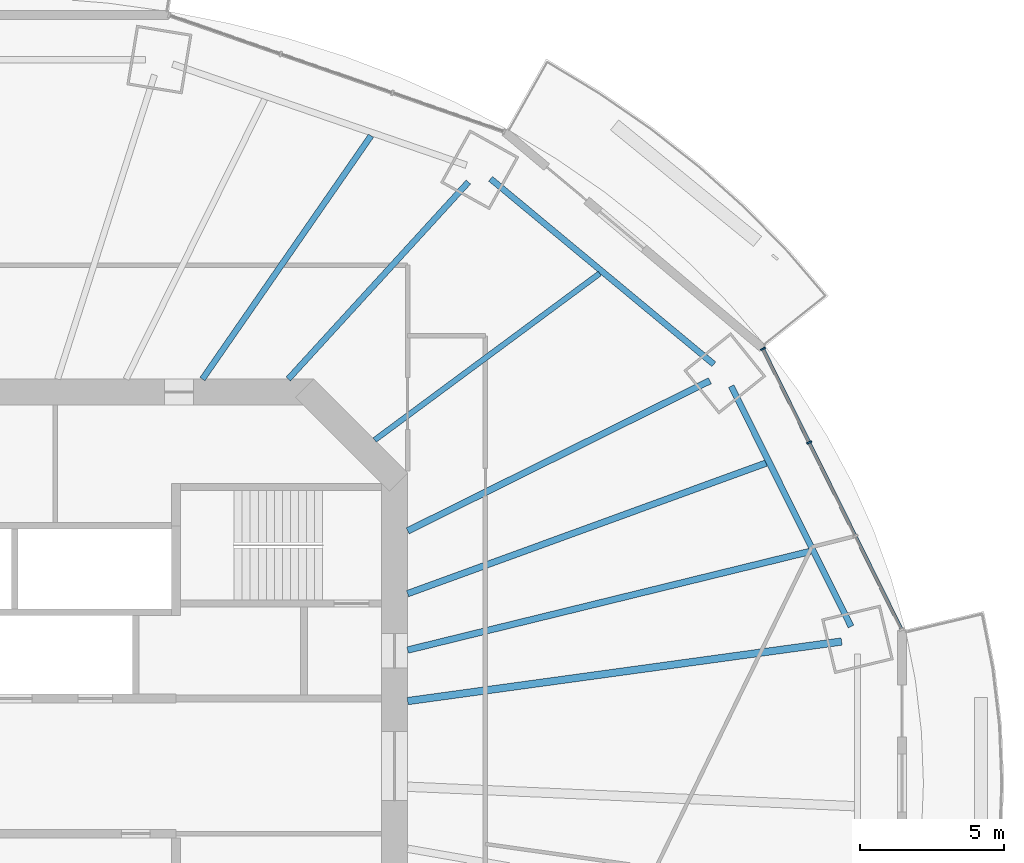
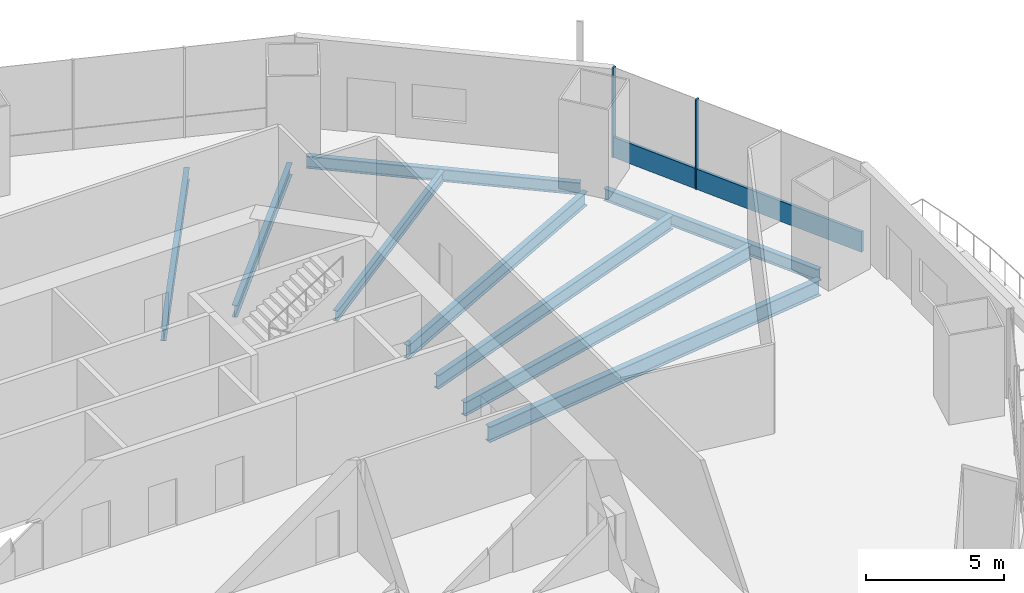
# One storey, part 7 of 20: 9 beams, 3 members, 1 element without a shape of its own.
"""IFC4 building model written with IfcOpenShell, lengths in metres."""

from ifc_helpers import new_model, si_unit, direction, frame, origin, origin_2d, place, context, subcontext, project, spatial, rectangle, i_section, extrude, material, material_profile, profile_set, type_object, element, aggregate, save


model = new_model("IFC4")

# Units and contexts
model_context = context("Model", 3, precision=1e-05, world=origin(), true_north=direction((0.0, 1.0)))
body_context = subcontext(model_context, "Body", "Model", "MODEL_VIEW")
ifc_project = project(units=[si_unit("LENGTHUNIT", "METRE"), si_unit("AREAUNIT", "SQUARE_METRE"), si_unit("VOLUMEUNIT", "CUBIC_METRE"), si_unit("PLANEANGLEUNIT", "RADIAN"), si_unit("MASSUNIT", "GRAM", prefix="KILO")], contexts=[model_context])

# Site, building, storey
site_placement = place(None, origin())
site = spatial("IfcSite", under=ifc_project, at=site_placement, CompositionType="ELEMENT")
building_placement = place(site_placement, origin())
building = spatial("IfcBuilding", under=site, at=building_placement, Name="Marenthal Gate Tower", CompositionType="ELEMENT")
storey_placement = place(building_placement, frame((0.0, 0.0, 177.64990234375)))
storey = spatial("IfcBuildingStorey", under=building, at=storey_placement, Name="L38", CompositionType="ELEMENT", Elevation=177.64990234375)

# Curtain wall, members
ifc_material_1 = material(Name="Aluminium and glass", Category="aluminium")
curtain_wall_type = type_object("IfcCurtainWallType", Name="Curtain wall typical mid", PredefinedType="NOTDEFINED", material=ifc_material_1)
curtain_wall_placement = place(storey_placement, origin())
curtain_wall = element("IfcCurtainWall", 1, at=curtain_wall_placement, inside=storey, type_object=curtain_wall_type, Name="Curtain wall L38 bay 1", PredefinedType="NOTDEFINED")
ifc_material_2 = material(Name="Aluminium", Category="aluminium")
ifc_material_profile_1 = material_profile(ifc_material_2, rectangle(XDim=0.179931640625, YDim=0.06005859375, at=origin_2d()), Name="60x180 aluminium mullion")
ifc_profile_set_1 = profile_set([ifc_material_profile_1], Name="Aluminium")
member_type_1 = type_object("IfcMemberType", Name="Mullion 60x180 typical mid", PredefinedType="MULLION", material=ifc_profile_set_1)
member_1_placement = place(storey_placement, frame((30.406982421875, 11.24560546875, 0.0), z_axis=(0.0, 0.0, 1.0), x_axis=(-0.89664343149, -0.442753381428, 0.0)))
member_1 = element("IfcMember", 2, at=member_1_placement, type_object=member_type_1, Name="Mullion L38 bay 1.3", PredefinedType="MULLION", context=body_context, shape_type="SweptSolid", body=[
    extrude(rectangle(XDim=0.179931640625, YDim=0.06005859375, at=origin_2d()), origin(), (0.0, 0.0, 1.0), 3.97021484375),
])
member_2_placement = place(storey_placement, frame((28.80029296875, 14.4990234375, 0.0), z_axis=(0.0, 0.0, 1.0), x_axis=(-0.89664343149, -0.442753381428, 0.0)))
member_2 = element("IfcMember", 3, at=member_2_placement, type_object=member_type_1, Name="Mullion L38 bay 1.4", PredefinedType="MULLION", context=body_context, shape_type="SweptSolid", body=[
    extrude(rectangle(XDim=0.179931640625, YDim=0.06005859375, at=origin_2d()), origin(), (0.0, 0.0, 1.0), 3.97021484375),
])
ifc_material_3 = material(Name="Aluminium", Category="aluminium")
ifc_material_profile_2 = material_profile(ifc_material_3, rectangle(XDim=0.1201171875, YDim=0.89990234375, at=origin_2d()), Name="120x900 aluminium transom")
ifc_profile_set_2 = profile_set([ifc_material_profile_2], Name="Aluminium")
member_type_2 = type_object("IfcMemberType", Name="Transom 120x900 typical mid", PredefinedType="USERDEFINED", material=ifc_profile_set_2)
member_3_placement = place(storey_placement, frame((33.606689453125, 4.765380859375, 0.4501953125), z_axis=(-0.442760838876, 0.896639749039, 0.0), x_axis=(-0.896639749039, -0.442760838876, 0.0)))
member_3 = element("IfcMember", 4, at=member_3_placement, type_object=member_type_2, Name="Transom L38 bay 1", ObjectType="TRANSOM", PredefinedType="USERDEFINED", context=body_context, shape_type="SweptSolid", body=[
    extrude(rectangle(XDim=0.1201171875, YDim=0.89990234375, at=origin_2d()), origin(), (0.0, 0.0, 1.0), 10.82568359375),
])
aggregate(curtain_wall, [member_1, member_2, member_3])

# Beams
ifc_material_4 = material(Name="Steel S355", Category="steel")
ifc_material_profile_3 = material_profile(ifc_material_4, i_section(OverallWidth=0.193115234375, OverallDepth=0.467041015625, WebThickness=0.011474609375, FlangeThickness=0.01904296875, FilletRadius=0.010009765625, at=origin_2d()), Name="W460X97")
ifc_profile_set_3 = profile_set([ifc_material_profile_3], Name="Steel S355")
beam_type_1 = type_object("IfcBeamType", Name="W460X97 beam", PredefinedType="BEAM", material=ifc_profile_set_3)
beam_1_placement = place(storey_placement, frame((23.126220703125, 17.12109375, -0.413330078125), z_axis=(-0.803711835648, -0.595018726797, 0.0), x_axis=(0.595018726797, -0.803711835648, 0.0)))
element("IfcBeam", 5, at=beam_1_placement, inside=storey, type_object=beam_type_1, Name="BM-L38-19", PredefinedType="BEAM", context=body_context, shape_type="SweptSolid", body=[
    extrude(i_section(OverallWidth=0.193115234375, OverallDepth=0.467041015625, WebThickness=0.011474609375, FlangeThickness=0.01904296875, FilletRadius=0.010009765625, at=origin_2d()), origin(), (0.0, 0.0, 1.0), 9.73095703125),
])
ifc_material_5 = material(Name="Steel S355", Category="steel")
ifc_material_profile_4 = material_profile(ifc_material_5, i_section(OverallWidth=0.2099609375, OverallDepth=0.535888671875, WebThickness=0.010986328125, FlangeThickness=0.017333984375, FilletRadius=0.0126953125, at=origin_2d()), Name="W530X101")
ifc_profile_set_4 = profile_set([ifc_material_profile_4], Name="Steel S355")
beam_type_2 = type_object("IfcBeamType", Name="W530X101 beam", PredefinedType="BEAM", material=ifc_profile_set_4)
beam_2_placement = place(storey_placement, frame((18.563232421875, 20.29638671875, -0.447998046875), z_axis=(-0.67489367982, -0.737914982189, 0.0), x_axis=(0.737914982189, -0.67489367982, 0.0)))
element("IfcBeam", 6, at=beam_2_placement, inside=storey, type_object=beam_type_2, Name="BM-L38-03", PredefinedType="BEAM", context=body_context, shape_type="SweptSolid", body=[
    extrude(i_section(OverallWidth=0.2099609375, OverallDepth=0.535888671875, WebThickness=0.010986328125, FlangeThickness=0.017333984375, FilletRadius=0.0126953125, at=origin_2d()), origin(), (0.0, 0.0, 1.0), 9.278076171875),
])
beam_3_placement = place(storey_placement, frame((15.176513671875, 21.902587890625, -0.447998046875), z_axis=(-0.569545723552, -0.821959651555, 0.0), x_axis=(0.821959651555, -0.569545723552, 0.0)))
element("IfcBeam", 7, at=beam_3_placement, inside=storey, type_object=beam_type_2, Name="BM-L38-20", PredefinedType="BEAM", context=body_context, shape_type="SweptSolid", body=[
    extrude(i_section(OverallWidth=0.2099609375, OverallDepth=0.535888671875, WebThickness=0.010986328125, FlangeThickness=0.017333984375, FilletRadius=0.0126953125, at=origin_2d()), origin(), (0.0, 0.0, 1.0), 10.283447265625),
])
ifc_material_6 = material(Name="Steel S355", Category="steel")
ifc_material_profile_5 = material_profile(ifc_material_6, i_section(OverallWidth=0.2119140625, OverallDepth=0.5439453125, WebThickness=0.01318359375, FlangeThickness=0.021240234375, FilletRadius=0.0126953125, at=origin_2d()), Name="W530X123")
ifc_profile_set_5 = profile_set([ifc_material_profile_5], Name="Steel S355")
beam_type_3 = type_object("IfcBeamType", Name="W530X123 beam", PredefinedType="BEAM", material=ifc_profile_set_5)
beam_4_placement = place(storey_placement, frame((31.860107421875, 4.851318359375, -0.451904296875), z_axis=(-0.446271515311, 0.894897611251, 0.0), x_axis=(-0.894897611251, -0.446271515311, 0.0)))
element("IfcBeam", 8, at=beam_4_placement, inside=storey, type_object=beam_type_3, Name="BM-L38-41", PredefinedType="BEAM", context=body_context, shape_type="SweptSolid", body=[
    extrude(i_section(OverallWidth=0.2119140625, OverallDepth=0.5439453125, WebThickness=0.01318359375, FlangeThickness=0.021240234375, FilletRadius=0.0126953125, at=origin_2d()), origin(), (0.0, 0.0, 1.0), 9.331787109375),
])
beam_5_placement = place(storey_placement, frame((27.092529296875, 13.96435546875, -0.451904296875), z_axis=(-0.769253878799, 0.638943244704, 0.0), x_axis=(-0.638943244704, -0.769253878799, 0.0)))
element("IfcBeam", 9, at=beam_5_placement, inside=storey, type_object=beam_type_3, Name="BM-L38-42", PredefinedType="BEAM", context=body_context, shape_type="SweptSolid", body=[
    extrude(i_section(OverallWidth=0.2119140625, OverallDepth=0.5439453125, WebThickness=0.01318359375, FlangeThickness=0.021240234375, FilletRadius=0.0126953125, at=origin_2d()), origin(), (0.0, 0.0, 1.0), 10.087158203125),
])
ifc_material_7 = material(Name="Steel S355", Category="steel")
ifc_material_profile_6 = material_profile(ifc_material_7, i_section(OverallWidth=0.22900390625, OverallDepth=0.612060546875, WebThickness=0.011962890625, FlangeThickness=0.01953125, FilletRadius=0.0126953125, at=origin_2d()), Name="W610X125")
ifc_profile_set_6 = profile_set([ifc_material_profile_6], Name="Steel S355")
beam_type_4 = type_object("IfcBeamType", Name="W610X125 beam", PredefinedType="BEAM", material=ifc_profile_set_6)
beam_6_placement = place(storey_placement, frame((26.958251953125, 13.392333984375, -0.48583984375), z_axis=(-0.895581075505, -0.44489834479, 0.0), x_axis=(0.44489834479, -0.895581075505, 0.0)))
element("IfcBeam", 10, at=beam_6_placement, inside=storey, type_object=beam_type_4, Name="BM-L38-02", PredefinedType="BEAM", context=body_context, shape_type="SweptSolid", body=[
    extrude(i_section(OverallWidth=0.22900390625, OverallDepth=0.612060546875, WebThickness=0.011962890625, FlangeThickness=0.01953125, FilletRadius=0.0126953125, at=origin_2d()), origin(), (0.0, 0.0, 1.0), 11.7333984375),
])
beam_7_placement = place(storey_placement, frame((30.44140625, 7.458984375, -0.48583984375), z_axis=(-0.971269335827, -0.237982934856, 0.0), x_axis=(0.237982934856, -0.971269335827, 0.0)))
element("IfcBeam", 11, at=beam_7_placement, inside=storey, type_object=beam_type_4, Name="BM-L38-17", PredefinedType="BEAM", context=body_context, shape_type="SweptSolid", body=[
    extrude(i_section(OverallWidth=0.22900390625, OverallDepth=0.612060546875, WebThickness=0.011962890625, FlangeThickness=0.01953125, FilletRadius=0.0126953125, at=origin_2d()), origin(), (0.0, 0.0, 1.0), 14.4052734375),
])
beam_8_placement = place(storey_placement, frame((28.909912109375, 10.530029296875, -0.48583984375), z_axis=(-0.93961321665, -0.342238225651, 0.0), x_axis=(0.342238225651, -0.93961321665, 0.0)))
element("IfcBeam", 12, at=beam_8_placement, inside=storey, type_object=beam_type_4, Name="BM-L38-18", PredefinedType="BEAM", context=body_context, shape_type="SweptSolid", body=[
    extrude(i_section(OverallWidth=0.22900390625, OverallDepth=0.612060546875, WebThickness=0.011962890625, FlangeThickness=0.01953125, FilletRadius=0.0126953125, at=origin_2d()), origin(), (0.0, 0.0, 1.0), 13.2607421875),
])
ifc_material_8 = material(Name="Steel S355", Category="steel")
ifc_material_profile_7 = material_profile(ifc_material_8, i_section(OverallWidth=0.257080078125, OverallDepth=0.693115234375, WebThickness=0.014404296875, FlangeThickness=0.023681640625, FilletRadius=0.015380859375, at=origin_2d()), Name="W690X170")
ifc_profile_set_7 = profile_set([ifc_material_profile_7], Name="Steel S355")
beam_type_5 = type_object("IfcBeamType", Name="W690X170 beam", PredefinedType="BEAM", material=ifc_profile_set_7)
beam_9_placement = place(storey_placement, frame((31.53369140625, 4.327880859375, -0.5263671875), z_axis=(-0.99071378207, -0.135963973232, 0.0), x_axis=(0.135963973232, -0.99071378207, 0.0)))
element("IfcBeam", 13, at=beam_9_placement, inside=storey, type_object=beam_type_5, Name="BM-L38-01", PredefinedType="BEAM", context=body_context, shape_type="SweptSolid", body=[
    extrude(i_section(OverallWidth=0.257080078125, OverallDepth=0.693115234375, WebThickness=0.014404296875, FlangeThickness=0.023681640625, FilletRadius=0.015380859375, at=origin_2d()), origin(), (0.0, 0.0, 1.0), 15.22509765625),
])

save(model, "model.ifc")
